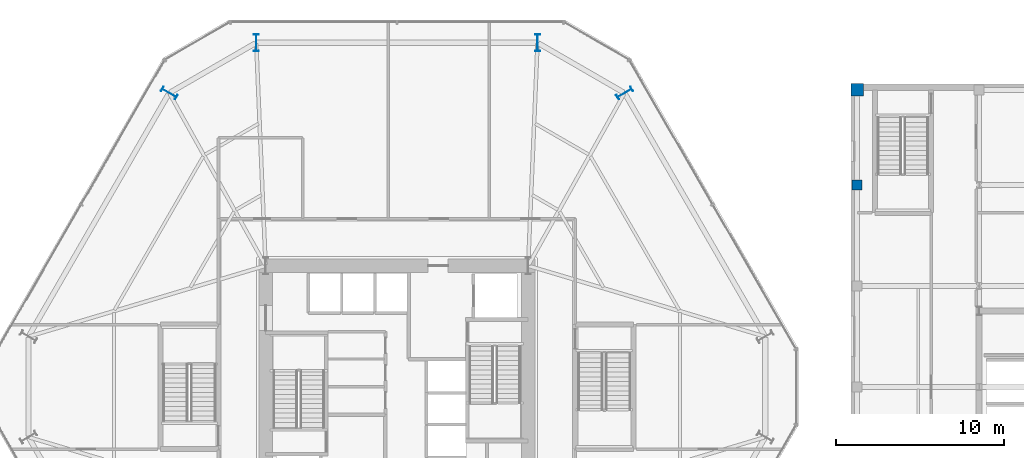
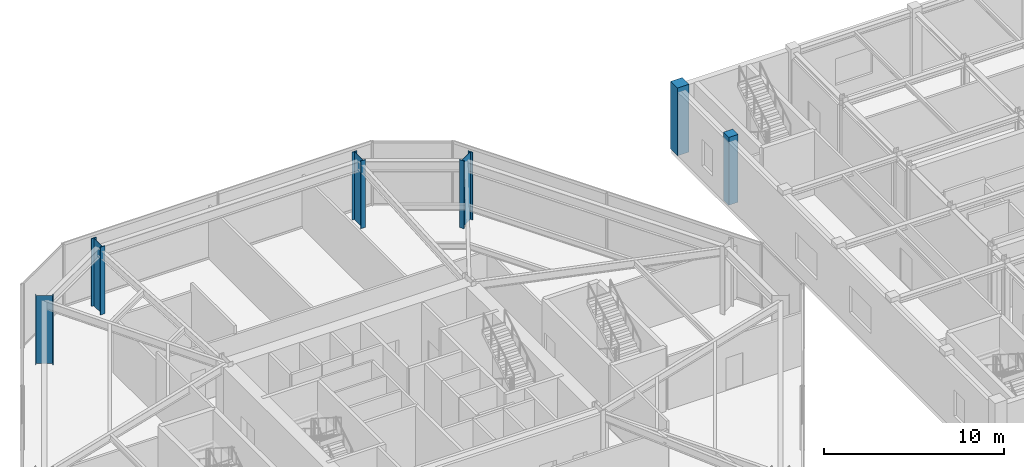
# One storey, part 3 of 23: 6 columns.
"""IFC4 building model written with IfcOpenShell, lengths in metres."""

from ifc_helpers import new_model, si_unit, direction, frame, origin, origin_2d, place, context, subcontext, project, spatial, rectangle, i_section, extrude, material, material_profile, profile_set, type_object, element, save


model = new_model("IFC4")

# Units and contexts
model_context = context("Model", 3, precision=1e-05, world=origin(), true_north=direction((0.0, 1.0)))
body_context = subcontext(model_context, "Body", "Model", "MODEL_VIEW")
ifc_project = project(units=[si_unit("LENGTHUNIT", "METRE"), si_unit("AREAUNIT", "SQUARE_METRE"), si_unit("VOLUMEUNIT", "CUBIC_METRE"), si_unit("PLANEANGLEUNIT", "RADIAN"), si_unit("MASSUNIT", "GRAM", prefix="KILO")], contexts=[model_context])

# Site, building, storey
site_placement = place(None, origin())
site = spatial("IfcSite", under=ifc_project, at=site_placement, CompositionType="ELEMENT")
building_placement = place(site_placement, origin())
building = spatial("IfcBuilding", under=site, at=building_placement, Name="Kranzbogen Civic Tower", CompositionType="ELEMENT")
storey_placement = place(building_placement, frame((0.0, 0.0, 14.39990234375)))
storey = spatial("IfcBuildingStorey", under=building, at=storey_placement, Name="L03", CompositionType="ELEMENT", Elevation=14.39990234375)

# Columns
ifc_material_1 = material(Name="Steel S460", Category="steel")
ifc_material_profile_1 = material_profile(ifc_material_1, i_section(OverallWidth=0.302001953125, OverallDepth=1.008056640625, WebThickness=0.02099609375, FlangeThickness=0.0400390625, at=origin_2d()), Name="HEM 1000")
ifc_profile_set_1 = profile_set([ifc_material_profile_1], Name="Steel S460")
column_type_1 = type_object("IfcColumnType", Name="Structural Column HEM 1000", PredefinedType="COLUMN", material=ifc_profile_set_1)
for number, where, z_axis, x_axis, name in (
    (1, (38.531005859375, 42.464111328125, 0.0), (0.0, 0.0, 1.0), (-0.5, 0.866025403784, 0.0), "L03 tower perimeter tube column 02"),
    (2, (33.35888671875, 45.449951171875, 0.0), (0.0, 0.0, 1.0), (1.0, 0.0, 0.0), "L03 tower perimeter tube column 03"),
    (3, (16.64111328125, 45.449951171875, 0.0), (0.0, 0.0, 1.0), (1.0, 0.0, 0.0), "L03 tower perimeter tube column 04"),
    (4, (11.468994140625, 42.464111328125, 0.0), (0.0, 0.0, 1.0), (0.5, 0.866025403784, 0.0), "L03 tower perimeter tube column 05"),
):
    element("IfcColumn", number, at=place(storey_placement, frame(where, z_axis=z_axis, x_axis=x_axis)), inside=storey, type_object=column_type_1, Name=name, PredefinedType="COLUMN", context=body_context, shape_type="SweptSolid", body=[
        extrude(i_section(OverallWidth=0.302001953125, OverallDepth=1.008056640625, WebThickness=0.02099609375, FlangeThickness=0.0400390625, at=origin_2d()), origin(), (0.0, 0.0, 1.0), 4.60009765625),
    ])
ifc_material_2 = material(Name="Concrete C40/50", Category="concrete")
ifc_material_profile_2 = material_profile(ifc_material_2, rectangle(XDim=0.60009765625, YDim=0.60009765625, at=origin_2d()), Name="RC 600x600")
ifc_profile_set_2 = profile_set([ifc_material_profile_2], Name="Concrete C40/50")
column_type_2 = type_object("IfcColumnType", Name="Structural Column RC 600x600", PredefinedType="COLUMN", material=ifc_profile_set_2)
column_1_placement = place(storey_placement, frame((52.35009765625, 37.0, 0.0), z_axis=(0.0, 0.0, 1.0), x_axis=(1.0, 0.0, 0.0)))
element("IfcColumn", 5, at=column_1_placement, inside=storey, type_object=column_type_2, Name="L03 Health Centre column 10/G", PredefinedType="COLUMN", context=body_context, shape_type="SweptSolid", body=[
    extrude(rectangle(XDim=0.60009765625, YDim=0.60009765625, at=origin_2d()), origin(), (0.0, 0.0, 1.0), 4.60009765625),
])
ifc_material_profile_3 = material_profile(ifc_material_2, rectangle(XDim=0.75, YDim=0.75, at=origin_2d()), Name="RC 750x750")
ifc_profile_set_3 = profile_set([ifc_material_profile_3], Name="Concrete C40/50")
column_type_3 = type_object("IfcColumnType", Name="Structural Column RC 750x750", PredefinedType="COLUMN", material=ifc_profile_set_3)
column_2_placement = place(storey_placement, frame((52.35009765625, 42.64990234375, 0.0), z_axis=(0.0, 0.0, 1.0), x_axis=(1.0, 0.0, 0.0)))
element("IfcColumn", 6, at=column_2_placement, inside=storey, type_object=column_type_3, Name="L03 Health Centre column 10/H", PredefinedType="COLUMN", context=body_context, shape_type="SweptSolid", body=[
    extrude(rectangle(XDim=0.75, YDim=0.75, at=origin_2d()), origin(), (0.0, 0.0, 1.0), 4.60009765625),
])

save(model, "model.ifc")
